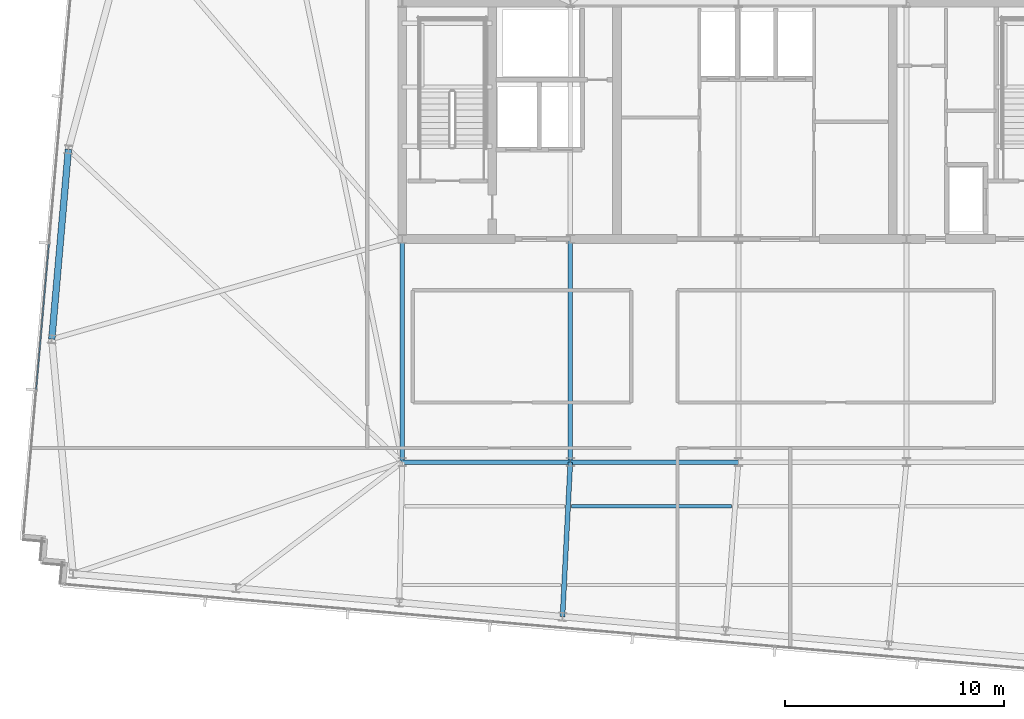
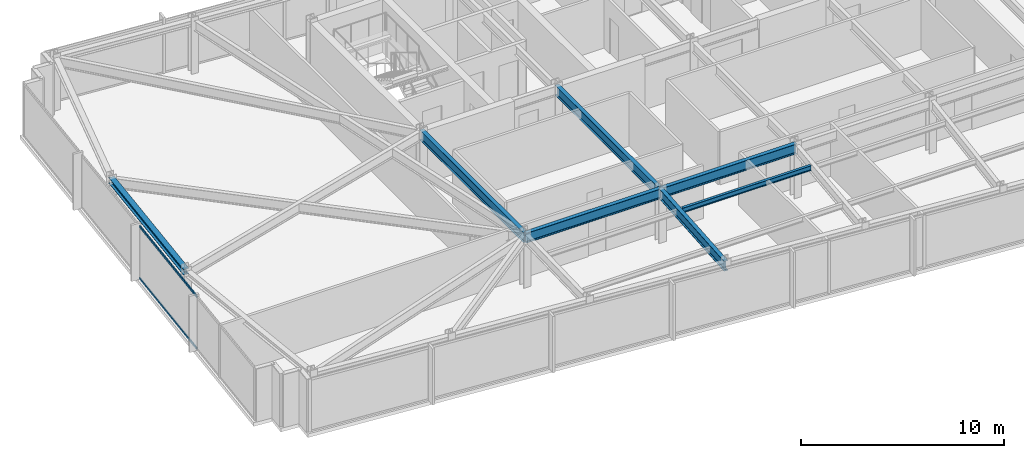
# One storey, part 8 of 32: 7 beams, 2 members, 1 element without a shape of its own.
"""IFC4 building model written with IfcOpenShell, lengths in metres."""

from ifc_helpers import new_model, si_unit, direction, frame, origin, origin_2d, place, context, subcontext, project, spatial, hollow_rectangle, i_section, extrude, material, material_profile, profile_set, type_object, element, aggregate, save


model = new_model("IFC4")

# Units and contexts
model_context = context("Model", 3, precision=1e-05, world=origin(), true_north=direction((0.0, 1.0)))
body_context = subcontext(model_context, "Body", "Model", "MODEL_VIEW")
ifc_project = project(units=[si_unit("LENGTHUNIT", "METRE"), si_unit("AREAUNIT", "SQUARE_METRE"), si_unit("VOLUMEUNIT", "CUBIC_METRE"), si_unit("PLANEANGLEUNIT", "RADIAN"), si_unit("MASSUNIT", "GRAM", prefix="KILO")], contexts=[model_context])

# Site, building, storey
site_placement = place(None, origin())
site = spatial("IfcSite", under=ifc_project, at=site_placement, CompositionType="ELEMENT")
building_placement = place(site_placement, origin())
building = spatial("IfcBuilding", under=site, at=building_placement, Name="Yelkora Congress Tower", CompositionType="ELEMENT")
storey_placement = place(building_placement, frame((0.0, 0.0, 262.5)))
storey = spatial("IfcBuildingStorey", under=building, at=storey_placement, Name="L73", CompositionType="ELEMENT", Elevation=262.5)

# Beams
ifc_material_1 = material(Name="Steel S355J2", Category="steel")
ifc_material_profile_1 = material_profile(ifc_material_1, i_section(OverallWidth=0.219970703125, OverallDepth=0.60009765625, WebThickness=0.011962890625, FlangeThickness=0.01904296875, FilletRadius=0.02392578125, at=origin_2d()), Name="IPE 600")
ifc_profile_set_1 = profile_set([ifc_material_profile_1], Name="Steel S355J2")
beam_type_1 = type_object("IfcBeamType", Name="BM-GIRD-IPE600", PredefinedType="BEAM", material=ifc_profile_set_1)
for number, where, z_axis, x_axis, name in (
    (1, (23.0400390625, 25.199951171875, 2.8798828125), (1.0, 0.0, 0.0), (0.0, 1.0, 0.0), "L73 Spine Grid D Girder 1"),
    (2, (30.719970703125, 25.199951171875, 2.8798828125), (1.0, 0.0, 0.0), (0.0, 1.0, 0.0), "L73 Spine Grid D Girder 2"),
):
    element("IfcBeam", number, at=place(storey_placement, frame(where, z_axis=z_axis, x_axis=x_axis)), inside=storey, type_object=beam_type_1, Name=name, PredefinedType="BEAM", context=body_context, shape_type="SweptSolid", body=[
        extrude(i_section(OverallWidth=0.219970703125, OverallDepth=0.60009765625, WebThickness=0.011962890625, FlangeThickness=0.01904296875, FilletRadius=0.02392578125, at=origin_2d()), origin(), (0.0, 0.0, 1.0), 7.679931640625),
    ])
for number, where, z_axis, x_axis, name in (
    (3, (23.0400390625, 25.199951171875, 2.8798828125), (0.0, 1.0, 0.0), (-1.0, 0.0, 0.0), "L73 Core Tie Girder MC-D1"),
    (4, (30.719970703125, 25.199951171875, 2.8798828125), (0.0, 1.0, 0.0), (-1.0, 0.0, 0.0), "L73 Core Tie Girder MC-D2"),
):
    element("IfcBeam", number, at=place(storey_placement, frame(where, z_axis=z_axis, x_axis=x_axis)), inside=storey, type_object=beam_type_1, Name=name, PredefinedType="BEAM", context=body_context, shape_type="SweptSolid", body=[
        extrude(i_section(OverallWidth=0.219970703125, OverallDepth=0.60009765625, WebThickness=0.011962890625, FlangeThickness=0.01904296875, FilletRadius=0.02392578125, at=origin_2d()), origin(), (0.0, 0.0, 1.0), 10.199951171875),
    ])
beam_1_placement = place(storey_placement, frame((30.362548828125, 18.14111328125, 2.8798828125), z_axis=(0.050569876836, 0.998720525251, 0.0), x_axis=(-0.998720525251, 0.050569876836, 0.0)))
element("IfcBeam", 5, at=beam_1_placement, inside=storey, type_object=beam_type_1, Name="L73 Primary Frame Girder S04", PredefinedType="BEAM", context=body_context, shape_type="SweptSolid", body=[
    extrude(i_section(OverallWidth=0.219970703125, OverallDepth=0.60009765625, WebThickness=0.011962890625, FlangeThickness=0.01904296875, FilletRadius=0.02392578125, at=origin_2d()), origin(), (0.0, 0.0, 1.0), 7.06787109375),
])
ifc_material_profile_2 = material_profile(ifc_material_1, i_section(OverallWidth=0.14990234375, OverallDepth=0.300048828125, WebThickness=0.007080078125, FlangeThickness=0.0107421875, FilletRadius=0.014892578125, at=origin_2d()), Name="IPE 300")
ifc_profile_set_2 = profile_set([ifc_material_profile_2], Name="Steel S355J2")
beam_type_2 = type_object("IfcBeamType", Name="BM-JOIST-IPE300", PredefinedType="JOIST", material=ifc_profile_set_2)
beam_2_placement = place(storey_placement, frame((30.778076171875, 23.1845703125, 3.030029296875), z_axis=(1.0, 0.0, 0.0), x_axis=(0.0, 1.0, 0.0)))
element("IfcBeam", 6, at=beam_2_placement, inside=storey, type_object=beam_type_2, Name="L73 Composite Floor Joist 6", PredefinedType="JOIST", context=body_context, shape_type="SweptSolid", body=[
    extrude(i_section(OverallWidth=0.14990234375, OverallDepth=0.300048828125, WebThickness=0.007080078125, FlangeThickness=0.0107421875, FilletRadius=0.014892578125, at=origin_2d()), origin(), (0.0, 0.0, 1.0), 7.3095703125),
])
ifc_material_profile_3 = material_profile(ifc_material_1, i_section(OverallWidth=0.300048828125, OverallDepth=0.340087890625, WebThickness=0.011962890625, FlangeThickness=0.021484375, FilletRadius=0.027099609375, at=origin_2d()), Name="HEB 340")
ifc_profile_set_3 = profile_set([ifc_material_profile_3], Name="Steel S355J2")
beam_type_3 = type_object("IfcBeamType", Name="BM-SPAN-HEB340", PredefinedType="SPANDREL", material=ifc_profile_set_3)
beam_3_placement = place(storey_placement, frame((7.787353515625, 39.489990234375, 3.010009765625), z_axis=(-0.08715998813, -0.99619432666, 0.0), x_axis=(0.99619432666, -0.08715998813, 0.0)))
element("IfcBeam", 7, at=beam_3_placement, inside=storey, type_object=beam_type_3, Name="L73 Perimeter Beam 14", PredefinedType="SPANDREL", context=body_context, shape_type="SweptSolid", body=[
    extrude(i_section(OverallWidth=0.300048828125, OverallDepth=0.340087890625, WebThickness=0.011962890625, FlangeThickness=0.021484375, FilletRadius=0.027099609375, at=origin_2d()), origin(), (0.0, 0.0, 1.0), 8.7001953125),
])

# Curtain wall, members
ifc_material_2 = material(Name="Anodised aluminium and insulated glass", Category="aluminium")
curtain_wall_type = type_object("IfcCurtainWallType", Name="CW-SYS-B5", PredefinedType="NOTDEFINED", material=ifc_material_2)
curtain_wall_placement = place(storey_placement, origin())
curtain_wall = element("IfcCurtainWall", 8, at=curtain_wall_placement, inside=storey, type_object=curtain_wall_type, Name="L73 Unitised Curtain Wall 5", PredefinedType="NOTDEFINED")
ifc_material_3 = material(Name="Anodised aluminium 6063-T6", Category="aluminium")
ifc_material_profile_4 = material_profile(ifc_material_3, hollow_rectangle(XDim=0.06005859375, YDim=0.1298828125, WallThickness=0.00390625, at=origin_2d()), Name="ALU 60x130x4")
ifc_profile_set_4 = profile_set([ifc_material_profile_4], Name="Anodised aluminium 6063-T6")
member_type = type_object("IfcMemberType", Name="MEM-TR-B5", PredefinedType="USERDEFINED", material=ifc_profile_set_4)
member_1_placement = place(storey_placement, frame((6.31640625, 28.529052734375, 0.030029296875), z_axis=(0.087182854761, 0.996192325726, 0.0), x_axis=(-0.996192325726, 0.087182854761, 0.0)))
member_1 = element("IfcMember", 9, at=member_1_placement, type_object=member_type, Name="CW-B5 transom 2.1", ObjectType="TRANSOM", PredefinedType="USERDEFINED", context=body_context, shape_type="SweptSolid", body=[
    extrude(hollow_rectangle(XDim=0.06005859375, YDim=0.1298828125, WallThickness=0.00390625, at=origin_2d()), origin(), (0.0, 0.0, 1.0), 6.664794921875),
])
member_2_placement = place(storey_placement, frame((6.31640625, 28.529052734375, 3.14990234375), z_axis=(0.087182854761, 0.996192325726, 0.0), x_axis=(-0.996192325726, 0.087182854761, 0.0)))
member_2 = element("IfcMember", 10, at=member_2_placement, type_object=member_type, Name="CW-B5 transom 2.2", ObjectType="TRANSOM", PredefinedType="USERDEFINED", context=body_context, shape_type="SweptSolid", body=[
    extrude(hollow_rectangle(XDim=0.06005859375, YDim=0.1298828125, WallThickness=0.00390625, at=origin_2d()), origin(), (0.0, 0.0, 1.0), 6.664794921875),
])
aggregate(curtain_wall, [member_1, member_2])

save(model, "model.ifc")
